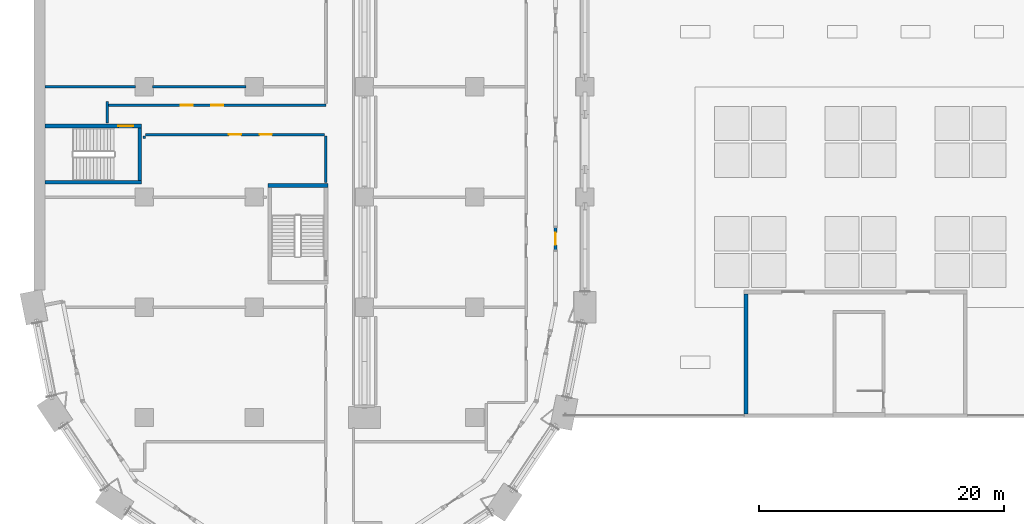
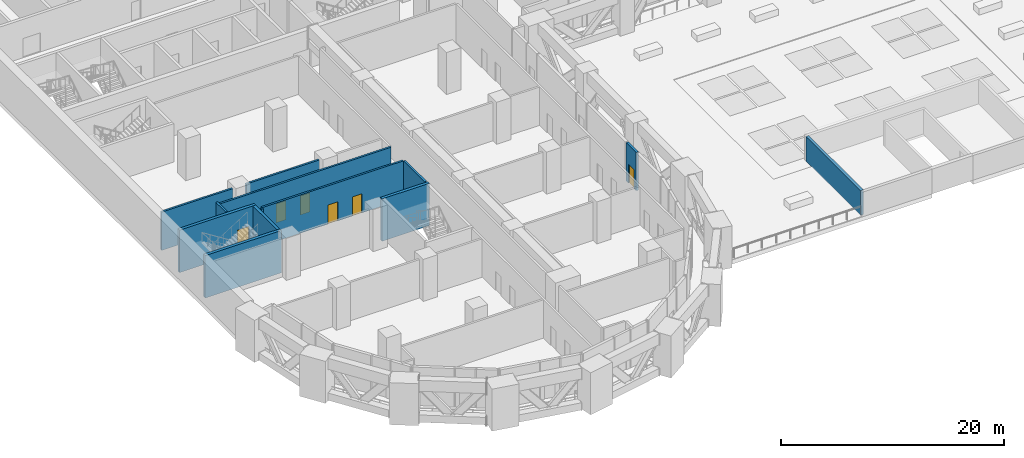
# One storey, part 11 of 31: 13 walls, 6 doors, 6 openings.
"""IFC4 building model written with IfcOpenShell, lengths in metres."""

import ifcopenshell
import ifcopenshell.guid

model = None  # the IFC model being written
_history = None  # IfcOwnerHistory: only IFC2X3 demands one
_inside = {}  # id of a spatial element -> (the spatial element, [elements in it])
_under = {}  # id of a project, library or spatial element -> (it, [spatial elements below it])
_declared = {}  # id of a project -> (the project, [libraries it declares])
_typed = {}  # id of a type object -> (the type object, [elements of that type])
_made_of = {}  # id of a material, layer set ... -> (it, [elements and type objects made of it])


def new_model(schema):
    """Start an empty IFC model of exactly this schema.

    Asked for "IFC4X3", IfcOpenShell would pick the latest addendum, in which some entities
    have other attributes; the version numbers below select the first issue.
    IFC2X3 requires an IfcOwnerHistory on every rooted entity: one is made here for all.
    """
    global model, _history
    if schema == "IFC4X3":
        model = ifcopenshell.file(schema_version=(4, 3, 0, 0))
    else:
        model = ifcopenshell.file(schema=schema)
    _inside.clear()
    _under.clear()
    _declared.clear()
    _typed.clear()
    _made_of.clear()
    _history = None
    if model.schema == "IFC2X3":
        org = make("IfcOrganization", Name="unknown")
        user = make(
            "IfcPersonAndOrganization",
            ThePerson=make("IfcPerson", FamilyName="unknown"),
            TheOrganization=org,
        )
        app = make(
            "IfcApplication",
            ApplicationDeveloper=org,
            Version="unknown",
            ApplicationFullName="unknown",
            ApplicationIdentifier="unknown",
        )
        _history = make(
            "IfcOwnerHistory",
            OwningUser=user,
            OwningApplication=app,
            ChangeAction="ADDED",
            CreationDate=0,
        )
    return model


def make(cls, **values):
    """One entity of the class cls with the attributes given. An attribute that is None is left unset."""
    return model.create_entity(
        cls, **{name: value for name, value in values.items() if value is not None}
    )


def rooted(cls, **values):
    """An entity with a GlobalId (a new one), such as an element, a storey or a relation."""
    return make(cls, GlobalId=ifcopenshell.guid.new(), OwnerHistory=_history, **values)


def si_unit(unit_type, name, prefix=None):
    """IfcSIUnit, for example si_unit("LENGTHUNIT", "METRE", prefix="MILLI")."""
    return make("IfcSIUnit", UnitType=unit_type, Prefix=prefix, Name=name)


def assignment(units):
    """IfcUnitAssignment: the units of a project."""
    return None if units is None else make("IfcUnitAssignment", Units=units)


def point(xyz):
    """IfcCartesianPoint."""
    return None if xyz is None else make("IfcCartesianPoint", Coordinates=xyz)


def direction(xyz):
    """IfcDirection."""
    return None if xyz is None else make("IfcDirection", DirectionRatios=xyz)


def frame(location, z_axis=None, x_axis=None):
    """IfcAxis2Placement3D, a coordinate frame: its origin and axes. An axis left out is left unset."""
    return make(
        "IfcAxis2Placement3D",
        Location=point(location),
        Axis=direction(z_axis),
        RefDirection=direction(x_axis),
    )


def frame_2d(location, x_axis=None):
    """IfcAxis2Placement2D, a coordinate frame in the plane: its origin and x axis."""
    return make(
        "IfcAxis2Placement2D", Location=point(location), RefDirection=direction(x_axis)
    )


def origin():
    """The frame at (0, 0, 0) with its axes left unset."""
    return frame((0.0, 0.0, 0.0))


def place(relative_to, where):
    """IfcLocalPlacement: puts the frame where relative to a parent placement (None: the world)."""
    return make(
        "IfcLocalPlacement", PlacementRelTo=relative_to, RelativePlacement=where
    )


def context(
    kind, dimensions, precision=None, world=None, true_north=None, identifier=None
):
    """IfcGeometricRepresentationContext, for example the 3D "Model" context."""
    return make(
        "IfcGeometricRepresentationContext",
        ContextIdentifier=identifier,
        ContextType=kind,
        CoordinateSpaceDimension=dimensions,
        Precision=precision,
        WorldCoordinateSystem=world,
        TrueNorth=true_north,
    )


def subcontext(parent, identifier, kind, view, scale=None):
    """IfcGeometricRepresentationSubContext, for example "Body" below "Model"."""
    return make(
        "IfcGeometricRepresentationSubContext",
        ContextIdentifier=identifier,
        ContextType=kind,
        ParentContext=parent,
        TargetScale=scale,
        TargetView=view,
    )


def project(units=None, contexts=None):
    """IfcProject with its units and contexts."""
    return rooted(
        "IfcProject",
        Name="project",
        RepresentationContexts=contexts,
        UnitsInContext=assignment(units),
    )


def spatial(cls, under=None, at=None, **own):
    """A site, building, storey or space (cls), placed at a placement, below another one or the project."""
    s = rooted(cls, ObjectPlacement=at, **own)
    if under is not None:
        _under.setdefault(under.id(), (under, []))[1].append(s)
    return s


def profile(cls, at=None, kind="AREA", **sizes):
    """A parametric profile (cls). Its sizes go by their IFC names, for example OverallWidth=200.0."""
    return make(cls, ProfileType=kind, Position=at, **sizes)


def rectangle(**sizes):
    """IfcRectangleProfileDef."""
    return profile("IfcRectangleProfileDef", **sizes)


def extrude(swept, where, along, depth):
    """IfcExtrudedAreaSolid: the profile swept, set in the frame where, extruded along a direction by depth."""
    return make(
        "IfcExtrudedAreaSolid",
        SweptArea=swept,
        Position=where,
        ExtrudedDirection=direction(along),
        Depth=depth,
    )


def shape(context_of_items, identifier, shape_type, items):
    """IfcShapeRepresentation: the items that make up one representation, for example the "Body"."""
    return make(
        "IfcShapeRepresentation",
        ContextOfItems=context_of_items,
        RepresentationIdentifier=identifier,
        RepresentationType=shape_type,
        Items=items,
    )


def material(Name=None, Category=None):
    """IfcMaterial."""
    return make("IfcMaterial", Name=Name, Category=Category)


def layer(
    of_material, thickness, ventilated=None, Name=None, Category=None, Priority=None
):
    """IfcMaterialLayer: one layer of a wall or slab, of a material (None: an air gap)."""
    return make(
        "IfcMaterialLayer",
        Material=of_material,
        LayerThickness=thickness,
        IsVentilated=ventilated,
        Name=Name,
        Category=Category,
        Priority=Priority,
    )


def layer_set(layers, Name=None):
    """IfcMaterialLayerSet."""
    return make("IfcMaterialLayerSet", MaterialLayers=layers, LayerSetName=Name)


def made_of(thing, what):
    """Note that an element or type object is made of a material, layer set ...; save() writes the relation."""
    if what is not None:
        _made_of.setdefault(what.id(), (what, []))[1].append(thing)
    return thing


def type_object(cls, material=None, **own):
    """A type object (cls), such as IfcWallType, which elements share."""
    return made_of(rooted(cls, **own), material)


def element(
    cls,
    number,
    at=None,
    inside=None,
    cuts=None,
    type_object=None,
    material=None,
    context=None,
    identifier="Body",
    shape_type=None,
    held_by="IfcProductDefinitionShape",
    body=None,
    shapes=None,
    **own,
):
    """One element of the class cls, such as IfcWall. Its Tag is "e" and its number.

    at: its placement. inside: the storey or other place that contains it. cuts: it is an
    opening in that element (IfcRelVoidsElement). A single representation is given by context,
    identifier, shape_type and body (its items); several are given by shapes. held_by: the class
    of the entity that holds the representations. save() writes the other relations.
    """
    e = rooted(cls, Tag="e%d" % number, ObjectPlacement=at, **own)
    if body is not None:
        shapes = [shape(context, identifier, shape_type, body)]
    if shapes is not None:
        e.Representation = make(held_by, Representations=shapes)
    if inside is not None:
        _inside.setdefault(inside.id(), (inside, []))[1].append(e)
    if cuts is not None:
        rooted(
            "IfcRelVoidsElement", RelatingBuildingElement=cuts, RelatedOpeningElement=e
        )
    if type_object is not None:
        _typed.setdefault(type_object.id(), (type_object, []))[1].append(e)
    return made_of(e, material)


def fill(opening, filler):
    """IfcRelFillsElement: the door or window that sits in an opening."""
    return rooted(
        "IfcRelFillsElement",
        RelatingOpeningElement=opening,
        RelatedBuildingElement=filler,
    )


def aggregate(whole, parts):
    """IfcRelAggregates: a whole, such as a stair, and the parts it consists of."""
    return rooted("IfcRelAggregates", RelatingObject=whole, RelatedObjects=parts)


def save(model, path):
    """Write the relations noted so far, then the file.

    IfcRelAggregates (storeys below a building ...), IfcRelContainedInSpatialStructure (elements
    in a storey), IfcRelDefinesByType, IfcRelAssociatesMaterial and IfcRelDeclares: one each for
    every whole, place, type object, material and project.
    """
    for whole, parts in _under.values():
        aggregate(whole, parts)
    for where, things in _inside.values():
        rooted(
            "IfcRelContainedInSpatialStructure",
            RelatedElements=things,
            RelatingStructure=where,
        )
    for kind, things in _typed.values():
        rooted("IfcRelDefinesByType", RelatedObjects=things, RelatingType=kind)
    for what, things in _made_of.values():
        rooted("IfcRelAssociatesMaterial", RelatedObjects=things, RelatingMaterial=what)
    for by, libraries in _declared.values():
        rooted("IfcRelDeclares", RelatingContext=by, RelatedDefinitions=libraries)
    model.write(path)


model = new_model("IFC4")

# Units and contexts
model_context = context("Model", 3, precision=1e-05, world=origin(), true_north=direction((0.0, 1.0)))
body_context = subcontext(model_context, "Body", "Model", "MODEL_VIEW")
ifc_project = project(units=[si_unit("LENGTHUNIT", "METRE"), si_unit("AREAUNIT", "SQUARE_METRE"), si_unit("VOLUMEUNIT", "CUBIC_METRE"), si_unit("PLANEANGLEUNIT", "RADIAN"), si_unit("MASSUNIT", "GRAM", prefix="KILO")], contexts=[model_context])

# Site, building, storey
site_placement = place(None, origin())
site = spatial("IfcSite", under=ifc_project, at=site_placement, CompositionType="ELEMENT")
building_placement = place(site_placement, origin())
building = spatial("IfcBuilding", under=site, at=building_placement, Name="Hunhe Ridgeline Campus", CompositionType="ELEMENT")
storey_placement = place(building_placement, frame((0.0, 0.0, 31.199951171875)))
storey = spatial("IfcBuildingStorey", under=building, at=storey_placement, Name="L06", CompositionType="ELEMENT", Elevation=31.199951171875)

# Wall, openings, doors
ifc_material_1 = material(Name="Gypsum board partition")
ifc_layer_1 = layer(ifc_material_1, 0.199951171875)
ifc_layer_set_1 = layer_set([ifc_layer_1], Name="Corridor partition 200 gypsum board on steel studs")
wall_type_1 = type_object("IfcWallType", Name="Corridor partition 200 gypsum board on steel studs", PredefinedType="PARTITIONING", material=ifc_layer_set_1)
wall_1_placement = place(storey_placement, frame((23.75, 41.10009765625, 0.0), z_axis=(0.0, 0.0, 1.0), x_axis=(-1.0, 0.0, 0.0)))
wall_1 = element("IfcWall", 1, at=wall_1_placement, inside=storey, type_object=wall_type_1, Name="F-L06-wall-018", PredefinedType="PARTITIONING", context=body_context, shape_type="SweptSolid", body=[
    extrude(rectangle(XDim=14.64990234375, YDim=0.199951171875, at=frame_2d((7.324951171875, 0.0))), origin(), (0.0, 0.0, 1.0), 4.199951171875),
])
opening_1_placement = place(wall_1_placement, frame((6.824951171875, 0.0, 0.0)))
opening_1 = element("IfcOpeningElement", 2, at=opening_1_placement, cuts=wall_1, Name="Opening RD1-011", PredefinedType="OPENING", context=body_context, shape_type="SweptSolid", body=[
    extrude(rectangle(XDim=1.0, YDim=2.10009765625, at=frame_2d((0.5, 1.050048828125))), frame((0.0, 0.10009765625, 0.0), z_axis=(0.0, -1.0, 0.0), x_axis=(1.0, 0.0, 0.0)), (0.0, 0.0, 1.0), 0.199951171875),
])
opening_2_placement = place(wall_1_placement, frame((4.324951171875, 0.0, 0.0)))
opening_2 = element("IfcOpeningElement", 3, at=opening_2_placement, cuts=wall_1, Name="Opening RD1-012", PredefinedType="OPENING", context=body_context, shape_type="SweptSolid", body=[
    extrude(rectangle(XDim=1.0, YDim=2.10009765625, at=frame_2d((0.5, 1.050048828125))), frame((0.0, 0.10009765625, 0.0), z_axis=(0.0, -1.0, 0.0), x_axis=(1.0, 0.0, 0.0)), (0.0, 0.0, 1.0), 0.199951171875),
])
ifc_material_2 = material(Name="Timber door leaf", Category="wood")
door_type_1 = type_object("IfcDoorType", Name="Single fire door 1000x2100 timber FD60", OperationType="NOTDEFINED", PredefinedType="DOOR", material=ifc_material_2)
door_1_placement = place(opening_1_placement, frame((1.0, 0.0, 0.0), z_axis=(0.0, 0.0, 1.0), x_axis=(-1.0, 0.0, 0.0)))
door_1 = element("IfcDoor", 4, at=door_1_placement, inside=storey, type_object=door_type_1, Name="F-L06-door-011", OperationType="SINGLE_SWING_RIGHT", OverallHeight=2.10009765625, OverallWidth=1.0, PredefinedType="DOOR", context=body_context, shape_type="SweptSolid", body=[
    extrude(rectangle(XDim=1.0, YDim=2.10009765625, at=frame_2d((0.5, 1.050048828125))), frame((0.0, 0.02490234375, 0.0), z_axis=(0.0, -1.0, 0.0), x_axis=(1.0, 0.0, 0.0)), (0.0, 0.0, 1.0), 0.050048828125),
])
fill(opening_1, door_1)
door_2_placement = place(opening_2_placement, frame((1.0, 0.0, 0.0), z_axis=(0.0, 0.0, 1.0), x_axis=(-1.0, 0.0, 0.0)))
door_2 = element("IfcDoor", 5, at=door_2_placement, inside=storey, type_object=door_type_1, Name="F-L06-door-012", OperationType="SINGLE_SWING_RIGHT", OverallHeight=2.10009765625, OverallWidth=1.0, PredefinedType="DOOR", context=body_context, shape_type="SweptSolid", body=[
    extrude(rectangle(XDim=1.0, YDim=2.10009765625, at=frame_2d((0.5, 1.050048828125))), frame((0.0, 0.02490234375, 0.0), z_axis=(0.0, -1.0, 0.0), x_axis=(1.0, 0.0, 0.0)), (0.0, 0.0, 1.0), 0.050048828125),
])
fill(opening_2, door_2)

wall_2_placement = place(storey_placement, frame((6.10009765625, 43.5, 0.0), z_axis=(0.0, 0.0, 1.0), x_axis=(1.0, 0.0, 0.0)))
wall_2 = element("IfcWall", 6, at=wall_2_placement, inside=storey, type_object=wall_type_1, Name="F-L06-wall-019", PredefinedType="PARTITIONING", context=body_context, shape_type="SweptSolid", body=[
    extrude(rectangle(XDim=17.75, YDim=0.199951171875, at=frame_2d((8.875, 0.0))), origin(), (0.0, 0.0, 1.0), 4.199951171875),
])
opening_3_placement = place(wall_2_placement, frame((5.875, 0.0, 0.0)))
opening_3 = element("IfcOpeningElement", 7, at=opening_3_placement, cuts=wall_2, Name="Opening RD1-014", PredefinedType="OPENING", context=body_context, shape_type="SweptSolid", body=[
    extrude(rectangle(XDim=1.0, YDim=2.10009765625, at=frame_2d((0.5, 1.050048828125))), frame((0.0, 0.10009765625, 0.0), z_axis=(0.0, -1.0, 0.0), x_axis=(1.0, 0.0, 0.0)), (0.0, 0.0, 1.0), 0.199951171875),
])
opening_4_placement = place(wall_2_placement, frame((8.375, 0.0, 0.0)))
opening_4 = element("IfcOpeningElement", 8, at=opening_4_placement, cuts=wall_2, Name="Opening RD1-015", PredefinedType="OPENING", context=body_context, shape_type="SweptSolid", body=[
    extrude(rectangle(XDim=1.0, YDim=2.10009765625, at=frame_2d((0.5, 1.050048828125))), frame((0.0, 0.10009765625, 0.0), z_axis=(0.0, -1.0, 0.0), x_axis=(1.0, 0.0, 0.0)), (0.0, 0.0, 1.0), 0.199951171875),
])
door_3_placement = place(opening_3_placement, frame((1.0, 0.0, 0.0), z_axis=(0.0, 0.0, 1.0), x_axis=(-1.0, 0.0, 0.0)))
door_3 = element("IfcDoor", 9, at=door_3_placement, inside=storey, type_object=door_type_1, Name="F-L06-door-014", OperationType="SINGLE_SWING_RIGHT", OverallHeight=2.10009765625, OverallWidth=1.0, PredefinedType="DOOR", context=body_context, shape_type="SweptSolid", body=[
    extrude(rectangle(XDim=1.0, YDim=2.10009765625, at=frame_2d((0.5, 1.050048828125))), frame((0.0, 0.02490234375, 0.0), z_axis=(0.0, -1.0, 0.0), x_axis=(1.0, 0.0, 0.0)), (0.0, 0.0, 1.0), 0.050048828125),
])
fill(opening_3, door_3)
door_4_placement = place(opening_4_placement, frame((1.0, 0.0, 0.0), z_axis=(0.0, 0.0, 1.0), x_axis=(-1.0, 0.0, 0.0)))
door_4 = element("IfcDoor", 10, at=door_4_placement, inside=storey, type_object=door_type_1, Name="F-L06-door-015", OperationType="SINGLE_SWING_LEFT", OverallHeight=2.10009765625, OverallWidth=1.0, PredefinedType="DOOR", context=body_context, shape_type="SweptSolid", body=[
    extrude(rectangle(XDim=1.0, YDim=2.10009765625, at=frame_2d((0.5, 1.050048828125))), frame((0.0, 0.02490234375, 0.0), z_axis=(0.0, -1.0, 0.0), x_axis=(1.0, 0.0, 0.0)), (0.0, 0.0, 1.0), 0.050048828125),
])
fill(opening_4, door_4)

# Walls
wall_3_placement = place(storey_placement, frame((0.924072265625, 45.0, 0.0), z_axis=(0.0, 0.0, 1.0), x_axis=(1.0, 0.0, 0.0)))
element("IfcWall", 11, at=wall_3_placement, inside=storey, type_object=wall_type_1, Name="F-L06-wall-020", PredefinedType="PARTITIONING", context=body_context, shape_type="SweptSolid", body=[
    extrude(rectangle(XDim=7.3759765625, YDim=0.199951171875, at=frame_2d((3.68798828125, 0.0))), origin(), (0.0, 0.0, 1.0), 4.199951171875),
])
wall_4_placement = place(storey_placement, frame((9.699951171875, 45.0, 0.0), z_axis=(0.0, 0.0, 1.0), x_axis=(1.0, 0.0, 0.0)))
element("IfcWall", 12, at=wall_4_placement, inside=storey, type_object=wall_type_1, Name="F-L06-wall-021", PredefinedType="PARTITIONING", context=body_context, shape_type="SweptSolid", body=[
    extrude(rectangle(XDim=7.60009765625, YDim=0.199951171875, at=frame_2d((3.800048828125, 0.0))), origin(), (0.0, 0.0, 1.0), 4.199951171875),
])
wall_5_placement = place(storey_placement, frame((6.0, 42.053955078125, 0.0), z_axis=(0.0, 0.0, 1.0), x_axis=(0.0, 1.0, 0.0)))
element("IfcWall", 13, at=wall_5_placement, inside=storey, type_object=wall_type_1, Name="F-L06-wall-054", PredefinedType="PARTITIONING", context=body_context, shape_type="SweptSolid", body=[
    extrude(rectangle(XDim=1.74609375, YDim=0.199951171875, at=frame_2d((0.873046875, 0.0))), origin(), (0.0, 0.0, 1.0), 4.199951171875),
])
wall_6_placement = place(storey_placement, frame((9.0, 41.0, 0.0), z_axis=(0.0, 0.0, 1.0), x_axis=(0.0, -1.0, 0.0)))
element("IfcWall", 14, at=wall_6_placement, inside=storey, type_object=wall_type_1, Name="F-L06-wall-055", PredefinedType="PARTITIONING", context=body_context, shape_type="SweptSolid", body=[
    extrude(rectangle(XDim=0.199951171875, YDim=0.199951171875, at=frame_2d((0.10009765625, 0.0))), origin(), (0.0, 0.0, 1.0), 4.199951171875),
])
wall_7_placement = place(storey_placement, frame((23.85009765625, 37.2041015625, 0.0), z_axis=(0.0, 0.0, 1.0), x_axis=(0.0, 1.0, 0.0)))
element("IfcWall", 15, at=wall_7_placement, inside=storey, type_object=wall_type_1, Name="F-L06-wall-058", PredefinedType="PARTITIONING", context=body_context, shape_type="SweptSolid", body=[
    extrude(rectangle(XDim=3.7958984375, YDim=0.199951171875, at=frame_2d((1.89794921875, 0.0))), origin(), (0.0, 0.0, 1.0), 4.199951171875),
])

# Wall, opening, door
ifc_material_3 = material(Name="Concrete C30", Category="concrete")
ifc_layer_2 = layer(ifc_material_3, 0.25)
ifc_layer_set_2 = layer_set([ifc_layer_2], Name="Loggia door pier wall 250 Concrete C30")
wall_type_2 = type_object("IfcWallType", Name="Loggia door pier wall 250 Concrete C30", PredefinedType="SOLIDWALL", material=ifc_layer_set_2)
wall_8_placement = place(storey_placement, frame((42.59912109375, 31.697021484375, 0.0), z_axis=(0.0, 0.0, 1.0), x_axis=(0.0, 1.0, 0.0)))
wall_8 = element("IfcWall", 16, at=wall_8_placement, inside=storey, type_object=wall_type_2, Name="Loggia door pier 9", PredefinedType="SOLIDWALL", context=body_context, shape_type="SweptSolid", body=[
    extrude(rectangle(XDim=1.800048828125, YDim=0.25, at=frame_2d((0.89990234375, 0.0))), origin(), (0.0, 0.0, 1.0), 4.199951171875),
])
opening_5_placement = place(wall_8_placement, frame((0.39990234375, 0.0, 0.0)))
opening_5 = element("IfcOpeningElement", 17, at=opening_5_placement, cuts=wall_8, Name="Opening BR109", PredefinedType="OPENING", context=body_context, shape_type="SweptSolid", body=[
    extrude(rectangle(XDim=1.0, YDim=2.10009765625, at=frame_2d((0.5, 1.050048828125))), frame((0.0, 0.125, 0.0), z_axis=(0.0, -1.0, 0.0), x_axis=(1.0, 0.0, 0.0)), (0.0, 0.0, 1.0), 0.25),
])
ifc_material_4 = material(Name="Aluminium 6063", Category="aluminium")
door_type_2 = type_object("IfcDoorType", Name="Loggia glazed door 1000x2100", OperationType="NOTDEFINED", PredefinedType="DOOR", material=ifc_material_4)
door_5_placement = place(opening_5_placement, frame((1.0, 0.0, 0.0), z_axis=(0.0, 0.0, 1.0), x_axis=(-1.0, 0.0, 0.0)))
door_5 = element("IfcDoor", 18, at=door_5_placement, inside=storey, type_object=door_type_2, Name="Loggia door BR109", OperationType="SINGLE_SWING_RIGHT", OverallHeight=2.10009765625, OverallWidth=1.0, PredefinedType="DOOR", context=body_context, shape_type="SweptSolid", body=[
    extrude(rectangle(XDim=1.0, YDim=2.10009765625, at=frame_2d((0.5, 1.050048828125))), frame((0.0, 0.02490234375, 0.0), z_axis=(0.0, -1.0, 0.0), x_axis=(1.0, 0.0, 0.0)), (0.0, 0.0, 1.0), 0.050048828125),
])
fill(opening_5, door_5)

# Walls
ifc_material_5 = material(Name="Concrete C40", Category="concrete")
ifc_layer_3 = layer(ifc_material_5, 0.300048828125)
ifc_layer_set_3 = layer_set([ifc_layer_3], Name="Roof pavilion wall 300 C40")
wall_type_3 = type_object("IfcWallType", Name="Roof pavilion wall 300 C40", PredefinedType="SOLIDWALL", material=ifc_layer_set_3)
wall_9_placement = place(storey_placement, frame((58.14990234375, 18.300048828125, 0.0), z_axis=(0.0, 0.0, 1.0), x_axis=(0.0, 1.0, 0.0)))
element("IfcWall", 19, at=wall_9_placement, inside=storey, type_object=wall_type_3, Name="Roof pavilion wall", PredefinedType="SOLIDWALL", context=body_context, shape_type="SweptSolid", body=[
    extrude(rectangle(XDim=9.800048828125, YDim=0.300048828125, at=frame_2d((4.89990234375, 0.0))), origin(), (0.0, 0.0, 1.0), 2.699951171875),
])
ifc_material_6 = material(Name="Concrete C80", Category="concrete")
ifc_layer_4 = layer(ifc_material_6, 0.300048828125)
ifc_layer_set_4 = layer_set([ifc_layer_4], Name="Stair wall 300 reinforced concrete C80")
wall_type_4 = type_object("IfcWallType", Name="Stair wall 300 reinforced concrete C80", PredefinedType="SOLIDWALL", material=ifc_layer_set_4)
wall_10_placement = place(storey_placement, frame((19.10009765625, 36.949951171875, -0.449951171875), z_axis=(0.0, 0.0, 1.0), x_axis=(1.0, 0.0, 0.0)))
element("IfcWall", 20, at=wall_10_placement, inside=storey, type_object=wall_type_4, Name="L06 core wall 2", PredefinedType="SOLIDWALL", context=body_context, shape_type="SweptSolid", body=[
    extrude(rectangle(XDim=4.89990234375, YDim=0.300048828125, at=frame_2d((2.449951171875, 0.0))), origin(), (0.0, 0.0, 1.0), 4.64990234375),
])
wall_11_placement = place(storey_placement, frame((0.89990234375, 37.199951171875, -0.449951171875), z_axis=(0.0, 0.0, 1.0), x_axis=(1.0, 0.0, 0.0)))
element("IfcWall", 21, at=wall_11_placement, inside=storey, type_object=wall_type_4, Name="L06 core wall 3", PredefinedType="SOLIDWALL", context=body_context, shape_type="SweptSolid", body=[
    extrude(rectangle(XDim=7.900146484375, YDim=0.300048828125, at=frame_2d((3.9501953125, 0.0))), origin(), (0.0, 0.0, 1.0), 4.64990234375),
])

# Wall, opening, door
wall_12_placement = place(storey_placement, frame((0.89990234375, 41.800048828125, -0.449951171875), z_axis=(0.0, 0.0, 1.0), x_axis=(1.0, 0.0, 0.0)))
wall_12 = element("IfcWall", 22, at=wall_12_placement, inside=storey, type_object=wall_type_4, Name="L06 core wall 4", PredefinedType="SOLIDWALL", context=body_context, shape_type="SweptSolid", body=[
    extrude(rectangle(XDim=7.900146484375, YDim=0.300048828125, at=frame_2d((3.9501953125, 0.0))), origin(), (0.0, 0.0, 1.0), 4.64990234375),
])
opening_6_placement = place(wall_12_placement, frame((6.0, 0.0, 0.449951171875)))
opening_6 = element("IfcOpeningElement", 23, at=opening_6_placement, cuts=wall_12, Name="Opening CD21", PredefinedType="OPENING", context=body_context, shape_type="SweptSolid", body=[
    extrude(rectangle(XDim=1.199951171875, YDim=2.10009765625, at=frame_2d((0.60009765625, 1.050048828125))), frame((0.0, 0.14990234375, 0.0), z_axis=(0.0, -1.0, 0.0), x_axis=(1.0, 0.0, 0.0)), (0.0, 0.0, 1.0), 0.300048828125),
])
ifc_material_7 = material(Name="Hollow metal fire door leaf")
door_type_3 = type_object("IfcDoorType", Name="Stair door 1200x2100 FD60", OperationType="SINGLE_SWING_LEFT", PredefinedType="DOOR", material=ifc_material_7)
door_6_placement = place(opening_6_placement, origin())
door_6 = element("IfcDoor", 24, at=door_6_placement, inside=storey, type_object=door_type_3, Name="L06 door W1", OperationType="SINGLE_SWING_LEFT", OverallHeight=2.10009765625, OverallWidth=1.199951171875, PredefinedType="DOOR", context=body_context, shape_type="SweptSolid", body=[
    extrude(rectangle(XDim=1.199951171875, YDim=2.10009765625, at=frame_2d((0.60009765625, 1.050048828125))), frame((0.0, 0.02490234375, 0.0), z_axis=(0.0, -1.0, 0.0), x_axis=(1.0, 0.0, 0.0)), (0.0, 0.0, 1.0), 0.050048828125),
])
fill(opening_6, door_6)

# Wall
wall_13_placement = place(storey_placement, frame((8.64990234375, 37.35009765625, -0.449951171875), z_axis=(0.0, 0.0, 1.0), x_axis=(0.0, 1.0, 0.0)))
element("IfcWall", 25, at=wall_13_placement, inside=storey, type_object=wall_type_4, Name="L06 core wall 41", PredefinedType="SOLIDWALL", context=body_context, shape_type="SweptSolid", body=[
    extrude(rectangle(XDim=4.2998046875, YDim=0.300048828125, at=frame_2d((2.14990234375, 0.0))), origin(), (0.0, 0.0, 1.0), 4.64990234375),
])

save(model, "model.ifc")
